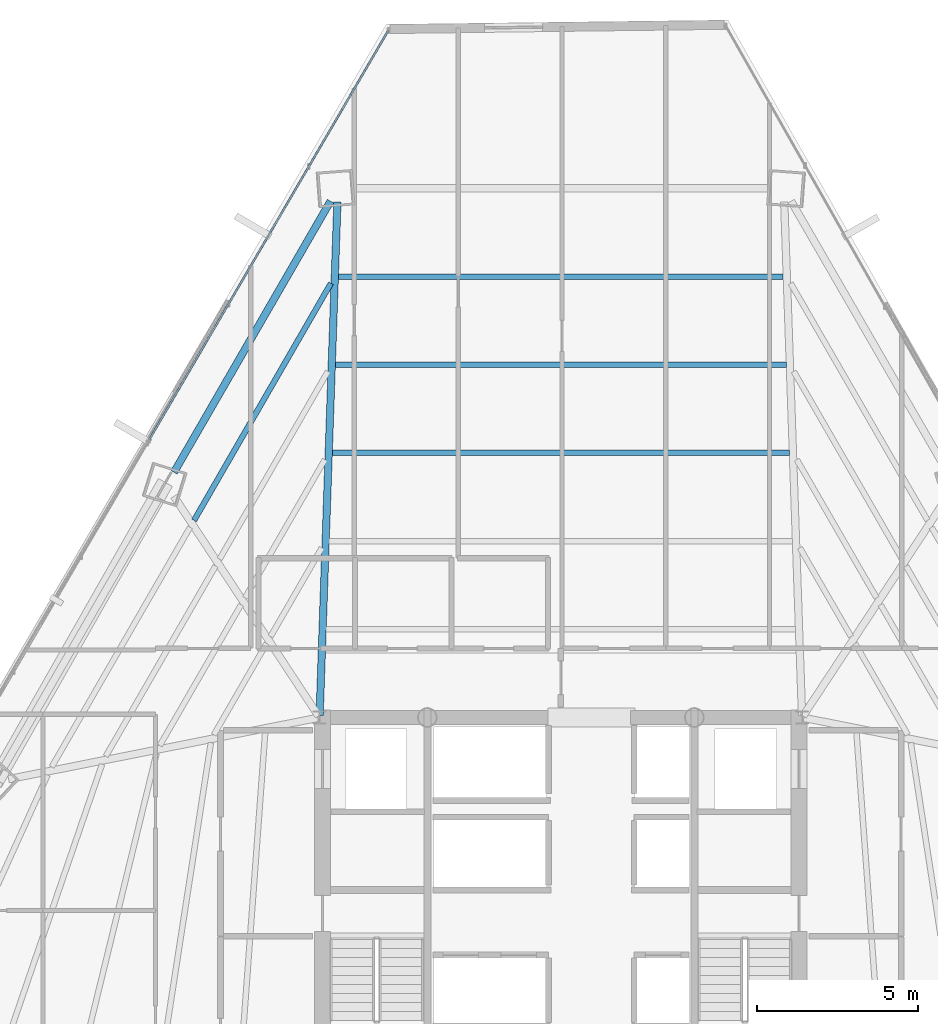
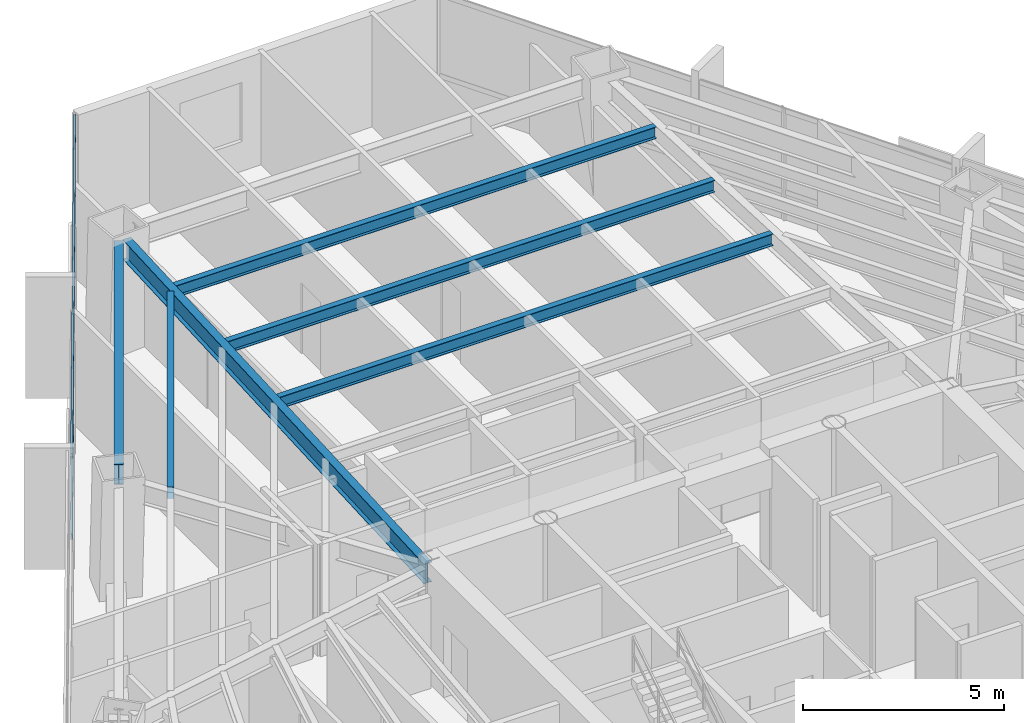
# One storey, part 24 of 35: 6 beams, 2 members, 1 element without a shape of its own.
"""IFC4 building model written with IfcOpenShell, lengths in metres."""

from ifc_helpers import new_model, si_unit, direction, frame, origin, origin_2d, place, context, subcontext, project, spatial, hollow_rectangle, i_section, extrude, source, transform, mapped, material, material_profile, profile_set, type_object, type_shapes, element, aggregate, save


model = new_model("IFC4")

# Units and contexts
model_context = context("Model", 3, precision=1e-05, world=origin(), true_north=direction((0.0, 1.0)))
body_context = subcontext(model_context, "Body", "Model", "MODEL_VIEW")
ifc_project = project(units=[si_unit("LENGTHUNIT", "METRE"), si_unit("AREAUNIT", "SQUARE_METRE"), si_unit("VOLUMEUNIT", "CUBIC_METRE"), si_unit("PLANEANGLEUNIT", "RADIAN"), si_unit("MASSUNIT", "GRAM", prefix="KILO")], contexts=[model_context])

# Site, building, storey
site_placement = place(None, origin())
site = spatial("IfcSite", under=ifc_project, at=site_placement, CompositionType="ELEMENT")
building_placement = place(site_placement, origin())
building = spatial("IfcBuilding", under=site, at=building_placement, Name="Caelisora Broadcast Tower", CompositionType="ELEMENT")
storey_placement = place(building_placement, frame((0.0, 0.0, 123.64990234375)))
storey = spatial("IfcBuildingStorey", under=building, at=storey_placement, Name="L32", CompositionType="ELEMENT", Elevation=123.64990234375)

# Beams
ifc_material_1 = material(Name="Steel Grade 350 (AS/NZS 3679.1)", Category="steel")
ifc_material_profile_1 = material_profile(ifc_material_1, i_section(OverallWidth=0.22900390625, OverallDepth=0.611572265625, WebThickness=0.011962890625, FlangeThickness=0.01953125, at=origin_2d()), Name="Steel Grade 350 (AS/NZS 3679.1)")
ifc_profile_set_1 = profile_set([ifc_material_profile_1], Name="Steel Grade 350 (AS/NZS 3679.1)")
beam_type_1 = type_object("IfcBeamType", Name="PG03", PredefinedType="BEAM", material=ifc_profile_set_1)
shared_shape_1 = source(origin(), body_context, "Body", "SweptSolid", [
    extrude(i_section(OverallWidth=0.22900390625, OverallDepth=0.611572265625, WebThickness=0.011962890625, FlangeThickness=0.01953125, at=origin_2d()), origin(), (0.0, 0.0, 1.0), 9.72998046875),
])
type_shapes(beam_type_1, [shared_shape_1])
beam_1_placement = place(storey_placement, frame((30.840087890625, 46.049072265625, 3.09423828125), z_axis=(-0.499995398093, -0.86602806068, 0.0), x_axis=(0.86602806068, -0.499995398093, 0.0)))
element("IfcBeam", 1, at=beam_1_placement, inside=storey, type_object=beam_type_1, Name="L32 beam PG03", PredefinedType="BEAM", context=body_context, shape_type="MappedRepresentation", body=[
    mapped(shared_shape_1, transform((0.0, 0.0, 0.0), scale=1.0)),
])
ifc_material_profile_2 = material_profile(ifc_material_1, i_section(OverallWidth=0.22802734375, OverallDepth=0.602294921875, WebThickness=0.010498046875, FlangeThickness=0.014892578125, at=origin_2d()), Name="Steel Grade 350 (AS/NZS 3679.1)")
ifc_profile_set_2 = profile_set([ifc_material_profile_2], Name="Steel Grade 350 (AS/NZS 3679.1)")
beam_type_2 = type_object("IfcBeamType", Name="PG04", PredefinedType="BEAM", material=ifc_profile_set_2)
shared_shape_2 = source(origin(), body_context, "Body", "SweptSolid", [
    extrude(i_section(OverallWidth=0.22802734375, OverallDepth=0.602294921875, WebThickness=0.010498046875, FlangeThickness=0.014892578125, at=origin_2d()), origin(), (0.0, 0.0, 1.0), 15.977294921875),
])
type_shapes(beam_type_2, [shared_shape_2])
beam_2_placement = place(storey_placement, frame((30.502197265625, 30.06005859375, 3.098876953125), z_axis=(0.034640685855, 0.999399831341, 0.0), x_axis=(-0.999399831341, 0.034640685855, 0.0)))
element("IfcBeam", 2, at=beam_2_placement, inside=storey, type_object=beam_type_2, Name="L32 beam PG04", PredefinedType="BEAM", context=body_context, shape_type="MappedRepresentation", body=[
    mapped(shared_shape_2, transform((0.0, 0.0, 0.0), scale=1.0)),
])
ifc_material_profile_3 = material_profile(ifc_material_1, i_section(OverallWidth=0.172119140625, OverallDepth=0.358642578125, WebThickness=0.008056640625, FlangeThickness=0.012939453125, at=origin_2d()), Name="Steel Grade 350 (AS/NZS 3679.1)")
ifc_profile_set_3 = profile_set([ifc_material_profile_3], Name="Steel Grade 350 (AS/NZS 3679.1)")
beam_type_3 = type_object("IfcBeamType", Name="SB02", PredefinedType="JOIST", material=ifc_profile_set_3)
shared_shape_3 = source(origin(), body_context, "Body", "SweptSolid", [
    extrude(i_section(OverallWidth=0.172119140625, OverallDepth=0.358642578125, WebThickness=0.008056640625, FlangeThickness=0.012939453125, at=origin_2d()), origin(), (0.0, 0.0, 1.0), 14.2080078125),
])
beam_3_placement = place(storey_placement, frame((45.10400390625, 38.2236328125, 3.220703125), z_axis=(-1.0, 0.0, 0.0), x_axis=(0.0, -1.0, 0.0)))
element("IfcBeam", 3, at=beam_3_placement, inside=storey, type_object=beam_type_3, Name="L32 beam SB02", PredefinedType="JOIST", context=body_context, shape_type="MappedRepresentation", body=[
    mapped(shared_shape_3, transform((0.0, 0.0, 0.0), scale=1.0)),
])
shared_shape_4 = source(origin(), body_context, "Body", "SweptSolid", [
    extrude(i_section(OverallWidth=0.172119140625, OverallDepth=0.358642578125, WebThickness=0.008056640625, FlangeThickness=0.012939453125, at=origin_2d()), origin(), (0.0, 0.0, 1.0), 14.017578125),
])
beam_4_placement = place(storey_placement, frame((45.0087890625, 40.965087890625, 3.220703125), z_axis=(-1.0, 0.0, 0.0), x_axis=(0.0, -1.0, 0.0)))
element("IfcBeam", 4, at=beam_4_placement, inside=storey, type_object=beam_type_3, Name="L32 beam SB02", PredefinedType="JOIST", context=body_context, shape_type="MappedRepresentation", body=[
    mapped(shared_shape_4, transform((0.0, 0.0, 0.0), scale=1.0)),
])
shared_shape_5 = source(origin(), body_context, "Body", "SweptSolid", [
    extrude(i_section(OverallWidth=0.172119140625, OverallDepth=0.358642578125, WebThickness=0.008056640625, FlangeThickness=0.012939453125, at=origin_2d()), origin(), (0.0, 0.0, 1.0), 13.82763671875),
])
beam_5_placement = place(storey_placement, frame((44.913818359375, 43.706298828125, 3.220703125), z_axis=(-1.0, 0.0, 0.0), x_axis=(0.0, -1.0, 0.0)))
element("IfcBeam", 5, at=beam_5_placement, inside=storey, type_object=beam_type_3, Name="L32 beam SB02", PredefinedType="JOIST", context=body_context, shape_type="MappedRepresentation", body=[
    mapped(shared_shape_5, transform((0.0, 0.0, 0.0), scale=1.0)),
])
shared_shape_6 = source(origin(), body_context, "Body", "SweptSolid", [
    extrude(i_section(OverallWidth=0.172119140625, OverallDepth=0.358642578125, WebThickness=0.008056640625, FlangeThickness=0.012939453125, at=origin_2d()), origin(), (0.0, 0.0, 1.0), 8.510986328125),
])
type_shapes(beam_type_3, [shared_shape_3, shared_shape_4, shared_shape_5, shared_shape_6])
beam_6_placement = place(storey_placement, frame((30.855224609375, 43.498779296875, 3.220703125), z_axis=(-0.499983176524, -0.866035116605, 0.0), x_axis=(0.866035116605, -0.499983176524, 0.0)))
element("IfcBeam", 6, at=beam_6_placement, inside=storey, type_object=beam_type_3, Name="L32 beam SB02", PredefinedType="JOIST", context=body_context, shape_type="MappedRepresentation", body=[
    mapped(shared_shape_6, transform((0.0, 0.0, 0.0), scale=1.0)),
])

# Curtain wall, members
ifc_material_2 = material(Name="Unitised Aluminium and Low-E Glass Curtain Wall", Category="glass")
curtain_wall_type = type_object("IfcCurtainWallType", Name="CW-Z2", PredefinedType="NOTDEFINED", material=ifc_material_2)
curtain_wall_placement = place(storey_placement, origin())
curtain_wall = element("IfcCurtainWall", 7, at=curtain_wall_placement, inside=storey, type_object=curtain_wall_type, Name="L32 curtain wall CW-Z2", PredefinedType="NOTDEFINED")
ifc_material_3 = material(Name="Aluminium 6063-T6 Anodised Terracotta Bronze", Category="aluminium")
ifc_material_profile_4 = material_profile(ifc_material_3, hollow_rectangle(XDim=0.06005859375, YDim=0.14990234375, WallThickness=0.00341796875, at=origin_2d()), Name="Aluminium 6063-T6 Anodised Terracotta Bronze")
ifc_profile_set_4 = profile_set([ifc_material_profile_4], Name="Aluminium 6063-T6 Anodised Terracotta Bronze")
member_type = type_object("IfcMemberType", Name="CWT-02", PredefinedType="USERDEFINED", material=ifc_profile_set_4)
shared_shape_7 = source(origin(), body_context, "Body", "SweptSolid", [
    extrude(hollow_rectangle(XDim=0.06005859375, YDim=0.14990234375, WallThickness=0.00341796875, at=origin_2d()), origin(), (0.0, 0.0, 1.0), 14.7412109375),
])
type_shapes(member_type, [shared_shape_7])
member_1_placement = place(storey_placement, frame((25.2001953125, 38.62939453125, 0.85009765625), z_axis=(0.504541243936, 0.863387591506, 0.0), x_axis=(-0.863387591506, 0.504541243936, 0.0)))
member_1 = element("IfcMember", 8, at=member_1_placement, type_object=member_type, Name="L32-CW-B11 transom #1", ObjectType="TRANSOM", PredefinedType="USERDEFINED", context=body_context, shape_type="MappedRepresentation", body=[
    mapped(shared_shape_7, transform((0.0, 0.0, 0.0), scale=1.0)),
])
member_2_placement = place(storey_placement, frame((25.2001953125, 38.62939453125, 3.320068359375), z_axis=(0.504541243936, 0.863387591506, 0.0), x_axis=(-0.863387591506, 0.504541243936, 0.0)))
member_2 = element("IfcMember", 9, at=member_2_placement, type_object=member_type, Name="L32-CW-B11 transom #2", ObjectType="TRANSOM", PredefinedType="USERDEFINED", context=body_context, shape_type="MappedRepresentation", body=[
    mapped(shared_shape_7, transform((0.0, 0.0, 0.0), scale=1.0)),
])
aggregate(curtain_wall, [member_1, member_2])

save(model, "model.ifc")
